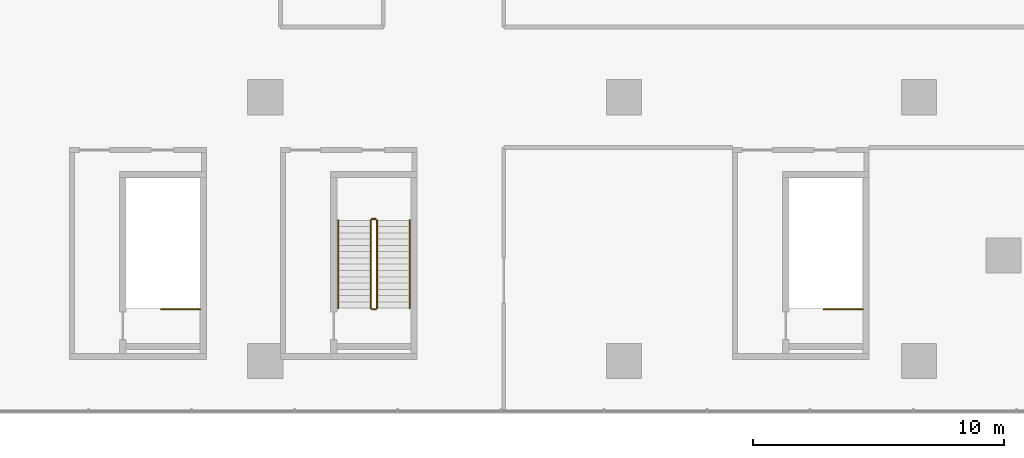
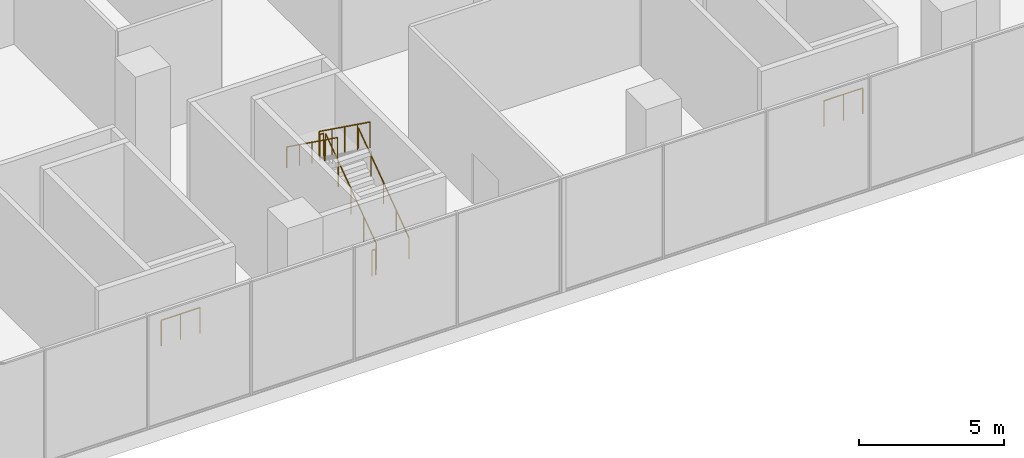
# One storey, part 19 of 21: 8 railings.
"""IFC4 building model written with IfcOpenShell, lengths in metres."""

from ifc_helpers import new_model, si_unit, direction, frame, origin, origin_2d, place, context, subcontext, project, spatial, circle, extrude, source, transform, mapped, material, type_object, element, save


model = new_model("IFC4")

# Units and contexts
model_context = context("Model", 3, precision=1e-05, world=origin(), true_north=direction((0.0, 1.0)))
body_context = subcontext(model_context, "Body", "Model", "MODEL_VIEW")
ifc_project = project(units=[si_unit("LENGTHUNIT", "METRE"), si_unit("AREAUNIT", "SQUARE_METRE"), si_unit("VOLUMEUNIT", "CUBIC_METRE"), si_unit("PLANEANGLEUNIT", "RADIAN"), si_unit("MASSUNIT", "GRAM", prefix="KILO")], contexts=[model_context])

# Site, building, storey
site_placement = place(None, origin())
site = spatial("IfcSite", under=ifc_project, at=site_placement, CompositionType="ELEMENT")
building_placement = place(site_placement, origin())
building = spatial("IfcBuilding", under=site, at=building_placement, Name="Aurelian Terraces", CompositionType="ELEMENT")
storey_placement = place(building_placement, frame((0.0, 0.0, 29.1)))
storey = spatial("IfcBuildingStorey", under=building, at=storey_placement, Name="L05", CompositionType="ELEMENT", Elevation=29.1)

# Railings
ifc_material = material(Name="Stainless steel", Category="steel")
railing_type_1 = type_object("IfcRailingType", Name="Stair guard 1100", PredefinedType="GUARDRAIL", material=ifc_material)
shared_shape_1 = source(origin(), body_context, "Body", "SweptSolid", [
    extrude(circle(Radius=0.024, at=origin_2d()), frame((0.0, 0.0, 1.076), z_axis=(-1.0, 0.0, 0.0), x_axis=(0.0, -1.0, 0.0)), (0.0, 0.0, 1.0), 0.15),
    extrude(circle(Radius=0.021, at=origin_2d()), origin(), (0.0, 0.0, 1.0), 1.052),
    extrude(circle(Radius=0.021, at=origin_2d()), frame((-0.15, 0.0, 0.0)), (0.0, 0.0, 1.0), 1.052),
])
for number, where, name in (
    (1, (42.2, 5.65, 2.7), "L05 S2 stair guard 2"),
    (2, (42.2, 2.05, 0.0), "L05 S2 stair guard 4"),
):
    element("IfcRailing", number, at=place(storey_placement, frame(where)), inside=storey, type_object=railing_type_1, Name=name, PredefinedType="GUARDRAIL", context=body_context, shape_type="MappedRepresentation", body=[
        mapped(shared_shape_1, transform((0.0, 0.0, 0.0), scale=1.0)),
    ])
shared_shape_2 = source(origin(), body_context, "Body", "SweptSolid", [
    extrude(circle(Radius=0.024, at=origin_2d()), frame((0.0, 0.0, 1.076), z_axis=(0.0, 0.811534341451, 0.584304725845), x_axis=(-1.0, 0.0, 0.0)), (0.0, 0.0, 1.0), 4.3128),
    extrude(circle(Radius=0.021, at=origin_2d()), origin(), (0.0, 0.0, 1.0), 1.052),
    extrude(circle(Radius=0.021, at=origin_2d()), frame((0.0, 0.875, 0.63)), (0.0, 0.0, 1.0), 1.052),
    extrude(circle(Radius=0.021, at=origin_2d()), frame((0.0, 1.75, 1.26)), (0.0, 0.0, 1.0), 1.052),
    extrude(circle(Radius=0.021, at=origin_2d()), frame((0.0, 2.625, 1.89)), (0.0, 0.0, 1.0), 1.052),
    extrude(circle(Radius=0.021, at=origin_2d()), frame((0.0, 3.5, 2.52)), (0.0, 0.0, 1.0), 1.052),
])
railing_1_placement = place(storey_placement, frame((42.25, 2.1, 0.18)))
element("IfcRailing", 3, at=railing_1_placement, inside=storey, type_object=railing_type_1, Name="L05 S2 stair guard 1", PredefinedType="GUARDRAIL", context=body_context, shape_type="MappedRepresentation", body=[
    mapped(shared_shape_2, transform((0.0, 0.0, 0.0), scale=1.0)),
])
shared_shape_3 = source(origin(), body_context, "Body", "SweptSolid", [
    extrude(circle(Radius=0.024, at=origin_2d()), frame((0.0, 0.0, 1.076), z_axis=(0.0, -0.811534341451, 0.584304725845), x_axis=(1.0, 0.0, 0.0)), (0.0, 0.0, 1.0), 4.3128),
    extrude(circle(Radius=0.021, at=origin_2d()), origin(), (0.0, 0.0, 1.0), 1.052),
    extrude(circle(Radius=0.021, at=origin_2d()), frame((0.0, -0.875, 0.63)), (0.0, 0.0, 1.0), 1.052),
    extrude(circle(Radius=0.021, at=origin_2d()), frame((0.0, -1.75, 1.26)), (0.0, 0.0, 1.0), 1.052),
    extrude(circle(Radius=0.021, at=origin_2d()), frame((0.0, -2.625, 1.89)), (0.0, 0.0, 1.0), 1.052),
    extrude(circle(Radius=0.021, at=origin_2d()), frame((0.0, -3.5, 2.52)), (0.0, 0.0, 1.0), 1.052),
])
railing_2_placement = place(storey_placement, frame((42.0, 5.6, 2.88)))
element("IfcRailing", 4, at=railing_2_placement, inside=storey, type_object=railing_type_1, Name="L05 S2 stair guard 3", PredefinedType="GUARDRAIL", context=body_context, shape_type="MappedRepresentation", body=[
    mapped(shared_shape_3, transform((0.0, 0.0, 0.0), scale=1.0)),
])
railing_type_2 = type_object("IfcRailingType", Name="Stair handrail", PredefinedType="HANDRAIL", material=ifc_material)
shared_shape_4 = source(origin(), body_context, "Body", "SweptSolid", [
    extrude(circle(Radius=0.024, at=origin_2d()), frame((0.0, 0.0, 0.876), z_axis=(0.0, 0.811534341451, 0.584304725845), x_axis=(-1.0, 0.0, 0.0)), (0.0, 0.0, 1.0), 4.3128),
    extrude(circle(Radius=0.021, at=origin_2d()), origin(), (0.0, 0.0, 1.0), 0.852),
    extrude(circle(Radius=0.021, at=origin_2d()), frame((0.0, 0.875, 0.63)), (0.0, 0.0, 1.0), 0.852),
    extrude(circle(Radius=0.021, at=origin_2d()), frame((0.0, 1.75, 1.26)), (0.0, 0.0, 1.0), 0.852),
    extrude(circle(Radius=0.021, at=origin_2d()), frame((0.0, 2.625, 1.89)), (0.0, 0.0, 1.0), 0.852),
    extrude(circle(Radius=0.021, at=origin_2d()), frame((0.0, 3.5, 2.52)), (0.0, 0.0, 1.0), 0.852),
])
railing_3_placement = place(storey_placement, frame((43.55, 2.1, 0.18)))
element("IfcRailing", 5, at=railing_3_placement, inside=storey, type_object=railing_type_2, Name="L05 S2 stair handrail 1", PredefinedType="HANDRAIL", context=body_context, shape_type="MappedRepresentation", body=[
    mapped(shared_shape_4, transform((0.0, 0.0, 0.0), scale=1.0)),
])
shared_shape_5 = source(origin(), body_context, "Body", "SweptSolid", [
    extrude(circle(Radius=0.024, at=origin_2d()), frame((0.0, 0.0, 0.876), z_axis=(0.0, -0.811534341451, 0.584304725845), x_axis=(1.0, 0.0, 0.0)), (0.0, 0.0, 1.0), 4.3128),
    extrude(circle(Radius=0.021, at=origin_2d()), origin(), (0.0, 0.0, 1.0), 0.852),
    extrude(circle(Radius=0.021, at=origin_2d()), frame((0.0, -0.875, 0.63)), (0.0, 0.0, 1.0), 0.852),
    extrude(circle(Radius=0.021, at=origin_2d()), frame((0.0, -1.75, 1.26)), (0.0, 0.0, 1.0), 0.852),
    extrude(circle(Radius=0.021, at=origin_2d()), frame((0.0, -2.625, 1.89)), (0.0, 0.0, 1.0), 0.852),
    extrude(circle(Radius=0.021, at=origin_2d()), frame((0.0, -3.5, 2.52)), (0.0, 0.0, 1.0), 0.852),
])
railing_4_placement = place(storey_placement, frame((40.7, 5.6, 2.88)))
element("IfcRailing", 6, at=railing_4_placement, inside=storey, type_object=railing_type_2, Name="L05 S2 stair handrail 2", PredefinedType="HANDRAIL", context=body_context, shape_type="MappedRepresentation", body=[
    mapped(shared_shape_5, transform((0.0, 0.0, 0.0), scale=1.0)),
])
shared_shape_6 = source(origin(), body_context, "Body", "SweptSolid", [
    extrude(circle(Radius=0.024, at=origin_2d()), frame((0.0, 0.0, 1.076), z_axis=(-1.0, 0.0, 0.0), x_axis=(0.0, -1.0, 0.0)), (0.0, 0.0, 1.0), 1.55),
    extrude(circle(Radius=0.021, at=origin_2d()), origin(), (0.0, 0.0, 1.0), 1.052),
    extrude(circle(Radius=0.021, at=origin_2d()), frame((-0.775, 0.0, 0.0)), (0.0, 0.0, 1.0), 1.052),
    extrude(circle(Radius=0.021, at=origin_2d()), frame((-1.55, 0.0, 0.0)), (0.0, 0.0, 1.0), 1.052),
])
for number, where, name in (
    (7, (61.6, 2.05, 0.0), "L05 S6 top well guard 1"),
    (8, (35.2, 2.05, 0.0), "L05 S7 top well guard 1"),
):
    element("IfcRailing", number, at=place(storey_placement, frame(where)), inside=storey, type_object=railing_type_1, Name=name, PredefinedType="GUARDRAIL", context=body_context, shape_type="MappedRepresentation", body=[
        mapped(shared_shape_6, transform((0.0, 0.0, 0.0), scale=1.0)),
    ])

save(model, "model.ifc")
